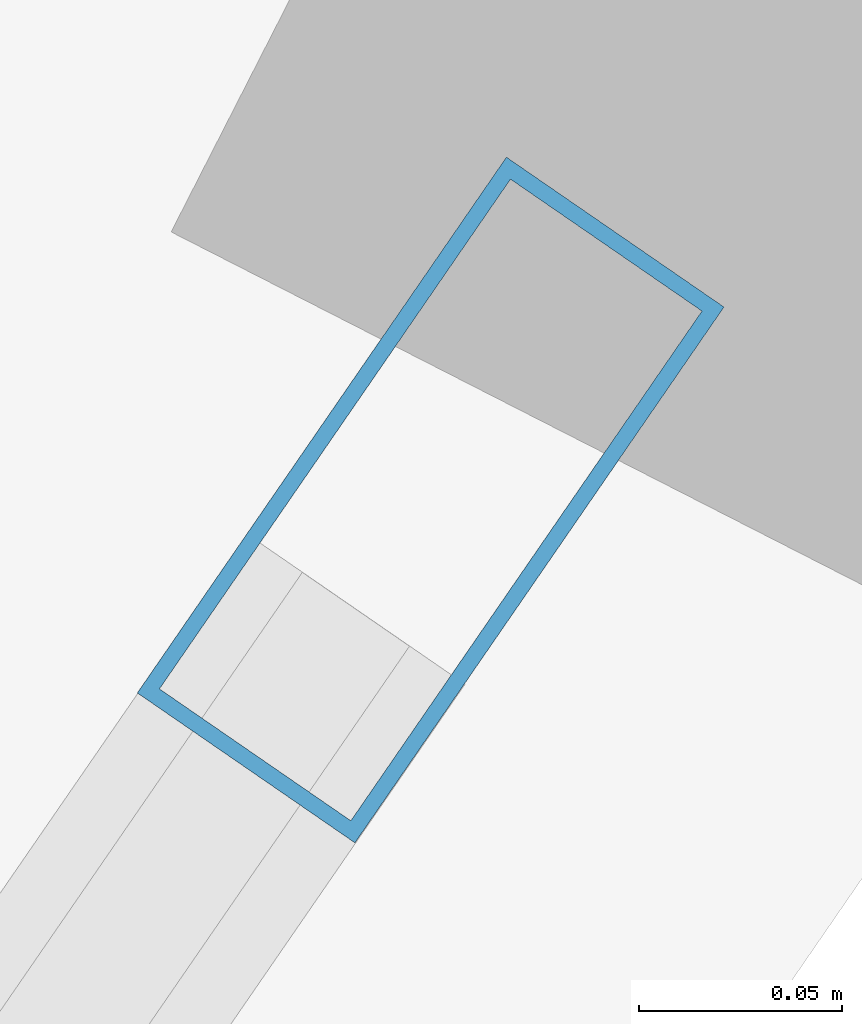
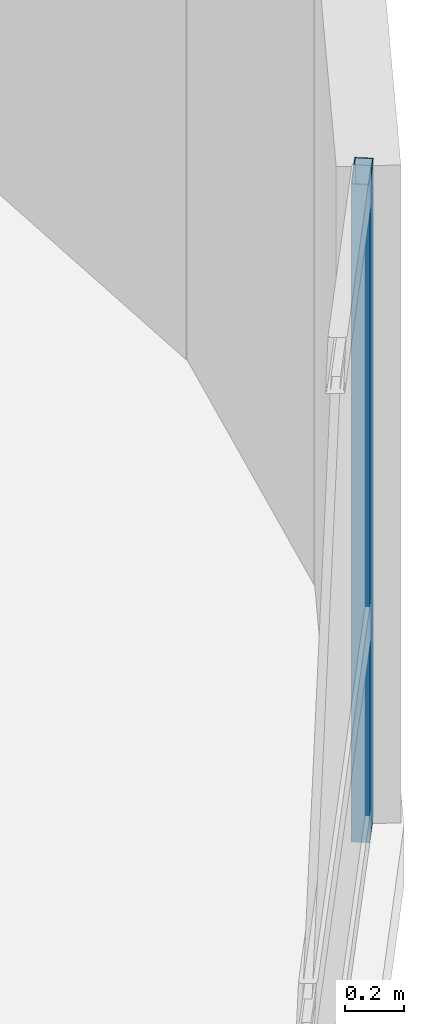
# One storey, part 13 of 26: 1 member, 1 element without a shape of its own.
"""IFC4 building model written with IfcOpenShell, lengths in metres."""

from ifc_helpers import new_model, si_unit, direction, frame, origin, origin_2d, place, context, subcontext, project, spatial, hollow_rectangle, extrude, material, layer, layer_set, material_profile, profile_set, type_object, element, aggregate, save


model = new_model("IFC4")

# Units and contexts
model_context = context("Model", 3, precision=1e-05, world=origin(), true_north=direction((0.0, 1.0)))
body_context = subcontext(model_context, "Body", "Model", "MODEL_VIEW")
ifc_project = project(units=[si_unit("LENGTHUNIT", "METRE"), si_unit("AREAUNIT", "SQUARE_METRE"), si_unit("VOLUMEUNIT", "CUBIC_METRE"), si_unit("PLANEANGLEUNIT", "RADIAN"), si_unit("MASSUNIT", "GRAM", prefix="KILO")], contexts=[model_context])

# Site, building, storey
site_placement = place(None, origin())
site = spatial("IfcSite", under=ifc_project, at=site_placement, CompositionType="ELEMENT")
building_placement = place(site_placement, origin())
building = spatial("IfcBuilding", under=site, at=building_placement, Name="Varnelok Gate Tower", CompositionType="ELEMENT")
storey_placement = place(building_placement, frame((0.0, 0.0, 45.5)))
storey = spatial("IfcBuildingStorey", under=building, at=storey_placement, Name="L10", CompositionType="ELEMENT", Elevation=45.5)

# Curtain wall, member
ifc_material = material(Name="Anodized Aluminum Alloy 6063-T6", Category="aluminium")
ifc_layer = layer(ifc_material, 0.179931640625)
ifc_layer_set = layer_set([ifc_layer], Name="Anodized Aluminum Alloy 6063-T6")
curtain_wall_type = type_object("IfcCurtainWallType", Name="CW3-HOTEL-VISION", PredefinedType="USERDEFINED", material=ifc_layer_set)
curtain_wall_placement = place(storey_placement, origin())
curtain_wall = element("IfcCurtainWall", 1, at=curtain_wall_placement, inside=storey, type_object=curtain_wall_type, Name="L10 East End Vision Curtain Wall", ObjectType="UNITISED CURTAIN WALL", PredefinedType="USERDEFINED")
ifc_material_profile = material_profile(ifc_material, hollow_rectangle(XDim=0.06494140625, YDim=0.159912109375, WallThickness=0.00390625, at=origin_2d()), Name="ALU160X65X4")
ifc_profile_set = profile_set([ifc_material_profile], Name="Anodized Aluminum Alloy 6063-T6")
member_type = type_object("IfcMemberType", Name="CW-MULL-160", PredefinedType="MULLION", material=ifc_profile_set)
member_placement = place(storey_placement, frame((82.52392578125, 19.33935546875, 0.0), z_axis=(0.0, 0.0, 1.0), x_axis=(0.823532685111, -0.567268822124, 0.0)))
member = element("IfcMember", 2, at=member_placement, type_object=member_type, Name="CW3 mullion 1", PredefinedType="MULLION", context=body_context, shape_type="SweptSolid", body=[
    extrude(hollow_rectangle(XDim=0.06494140625, YDim=0.159912109375, WallThickness=0.00390625, at=origin_2d()), origin(), (0.0, 0.0, 1.0), 2.72998046875),
])
aggregate(curtain_wall, [member])

save(model, "model.ifc")
